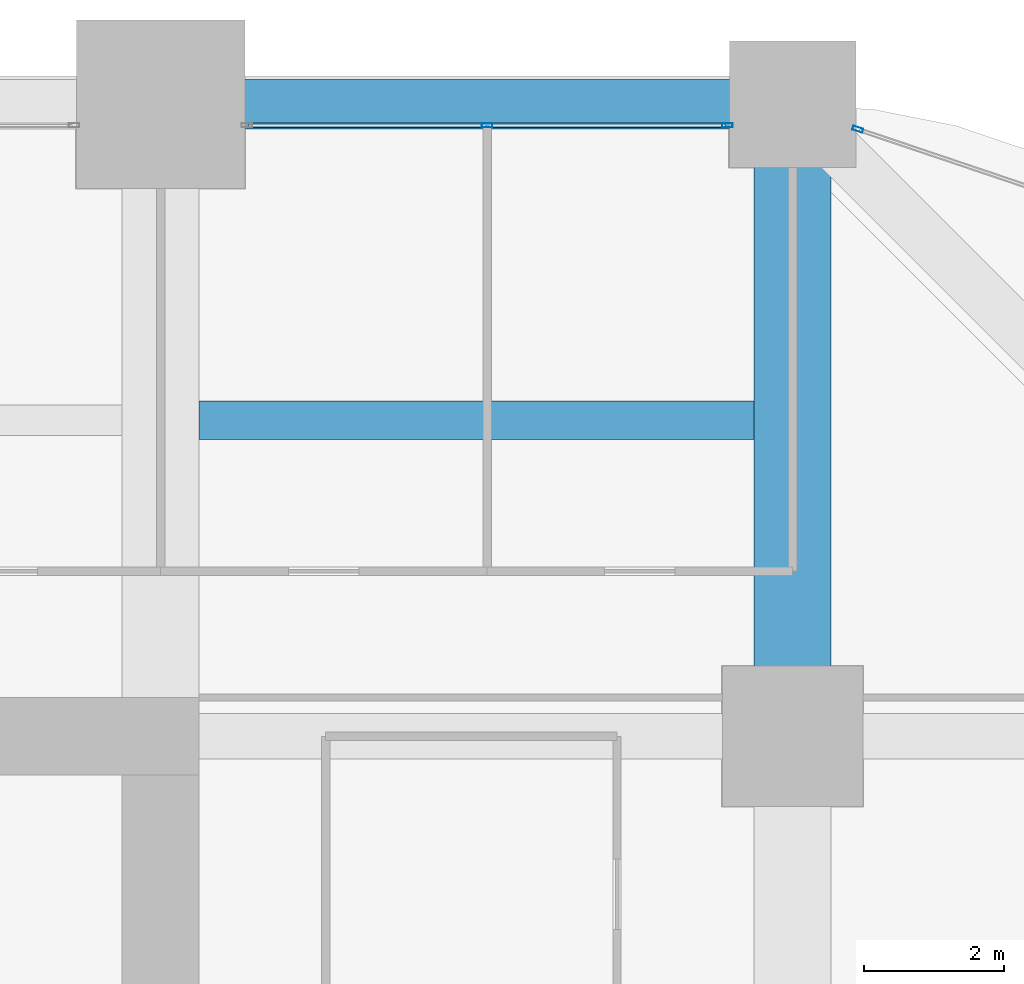
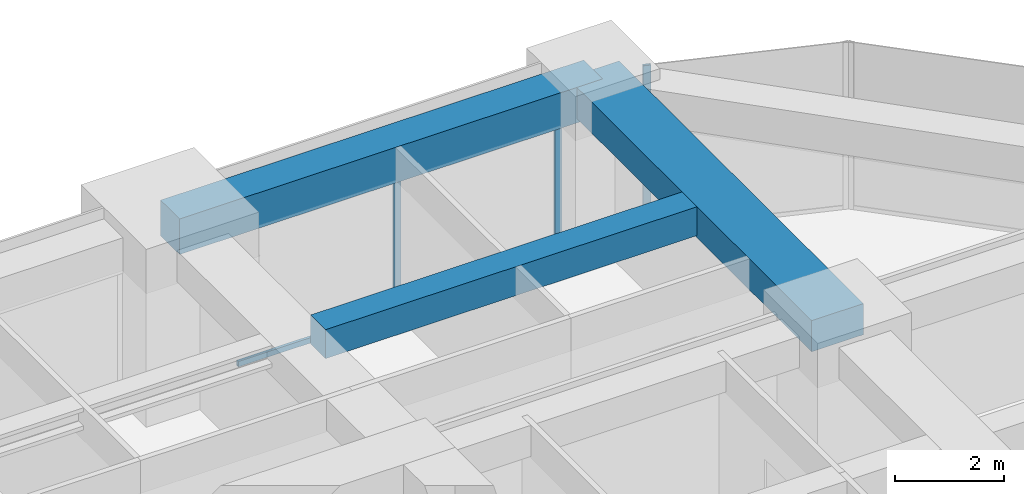
# One storey, part 33 of 40: 4 members, 3 beams, 2 elements without a shape of their own.
"""IFC4 building model written with IfcOpenShell, lengths in metres."""

from ifc_helpers import new_model, si_unit, direction, frame, origin, origin_2d, place, context, subcontext, project, spatial, rectangle, hollow_rectangle, extrude, material, material_profile, profile_set, type_object, element, aggregate, save


model = new_model("IFC4")

# Units and contexts
model_context = context("Model", 3, precision=1e-05, world=origin(), true_north=direction((0.0, 1.0)))
body_context = subcontext(model_context, "Body", "Model", "MODEL_VIEW")
ifc_project = project(units=[si_unit("LENGTHUNIT", "METRE"), si_unit("AREAUNIT", "SQUARE_METRE"), si_unit("VOLUMEUNIT", "CUBIC_METRE"), si_unit("PLANEANGLEUNIT", "RADIAN"), si_unit("MASSUNIT", "GRAM", prefix="KILO")], contexts=[model_context])

# Site, building, storey
site_placement = place(None, origin())
site = spatial("IfcSite", under=ifc_project, at=site_placement, CompositionType="ELEMENT")
building_placement = place(site_placement, origin())
building = spatial("IfcBuilding", under=site, at=building_placement, Name="Zorevar Civic Tower", CompositionType="ELEMENT")
storey_placement = place(building_placement, frame((0.0, 0.0, 93.0)))
storey = spatial("IfcBuildingStorey", under=building, at=storey_placement, Name="L22", CompositionType="ELEMENT", Elevation=93.0)

# Beams
ifc_material_1 = material(Name="Concrete C50/60", Category="concrete")
ifc_material_profile_1 = material_profile(ifc_material_1, rectangle(XDim=1.10009765625, YDim=0.699951171875, at=origin_2d()), Name="RC 1100x700")
ifc_profile_set_1 = profile_set([ifc_material_profile_1], Name="Concrete C50/60")
beam_type_1 = type_object("IfcBeamType", Name="Beam RC 1100x700", PredefinedType="BEAM", material=ifc_profile_set_1)
beam_1_placement = place(storey_placement, frame((54.0, 36.0, 3.39990234375), z_axis=(0.0, 1.0, 0.0), x_axis=(-1.0, 0.0, 0.0)))
element("IfcBeam", 1, at=beam_1_placement, inside=storey, type_object=beam_type_1, Name="Girder L23", PredefinedType="BEAM", context=body_context, shape_type="SweptSolid", body=[
    extrude(rectangle(XDim=1.10009765625, YDim=0.699951171875, at=origin_2d()), origin(), (0.0, 0.0, 1.0), 9.0),
])
ifc_material_2 = material(Name="Concrete C50/60", Category="concrete")
ifc_material_profile_2 = material_profile(ifc_material_2, rectangle(XDim=0.550048828125, YDim=0.64990234375, at=origin_2d()), Name="RC 550x650")
ifc_profile_set_2 = profile_set([ifc_material_profile_2], Name="Concrete C50/60")
beam_type_2 = type_object("IfcBeamType", Name="Beam RC 550x650", PredefinedType="BEAM", material=ifc_profile_set_2)
beam_2_placement = place(storey_placement, frame((45.550048828125, 40.5, 3.425048828125), z_axis=(1.0, 0.0, 0.0), x_axis=(0.0, 1.0, 0.0)))
element("IfcBeam", 2, at=beam_2_placement, inside=storey, type_object=beam_type_2, Name="Secondary beam L23", PredefinedType="BEAM", context=body_context, shape_type="SweptSolid", body=[
    extrude(rectangle(XDim=0.550048828125, YDim=0.64990234375, at=origin_2d()), origin(), (0.0, 0.0, 1.0), 7.89990234375),
])

# Curtain wall, members
ifc_material_3 = material(Name="Dark grey solar-control glass in black aluminium frame", Category="aluminium")
curtain_wall_type = type_object("IfcCurtainWallType", Name="Curtain wall CW3 mid zone", PredefinedType="NOTDEFINED", material=ifc_material_3)
curtain_wall_1_placement = place(storey_placement, origin())
curtain_wall_1 = element("IfcCurtainWall", 3, at=curtain_wall_1_placement, inside=storey, type_object=curtain_wall_type, Name="CW3 L22", PredefinedType="NOTDEFINED")
ifc_material_4 = material(Name="Aluminium, black anodised", Category="aluminium")
ifc_material_profile_3 = material_profile(ifc_material_4, hollow_rectangle(XDim=0.06005859375, YDim=0.14990234375, WallThickness=0.00390625, at=origin_2d()), Name="AL 150x60x4")
ifc_profile_set_3 = profile_set([ifc_material_profile_3], Name="Aluminium, black anodised")
member_type_1 = type_object("IfcMemberType", Name="CW3 mullion AL 150x60x4", PredefinedType="MULLION", material=ifc_profile_set_3)
member_1_placement = place(storey_placement, frame((49.64990234375, 44.699951171875, 0.06005859375), z_axis=(0.0, 0.0, 1.0), x_axis=(0.0, 1.0, 0.0)))
member_1 = element("IfcMember", 4, at=member_1_placement, type_object=member_type_1, Name="CW3 mullion 2", PredefinedType="MULLION", context=body_context, shape_type="SweptSolid", body=[
    extrude(hollow_rectangle(XDim=0.06005859375, YDim=0.14990234375, WallThickness=0.00390625, at=origin_2d()), origin(), (0.0, 0.0, 1.0), 2.889892578125),
])
member_2_placement = place(storey_placement, frame((53.070068359375, 44.699951171875, 0.0), z_axis=(0.0, 0.0, 1.0), x_axis=(0.0, 1.0, 0.0)))
member_2 = element("IfcMember", 5, at=member_2_placement, type_object=member_type_1, Name="CW3 mullion 3", PredefinedType="MULLION", context=body_context, shape_type="SweptSolid", body=[
    extrude(hollow_rectangle(XDim=0.06005859375, YDim=0.14990234375, WallThickness=0.00390625, at=origin_2d()), origin(), (0.0, 0.0, 1.0), 2.949951171875),
])

# Curtain wall, member
curtain_wall_2_placement = place(storey_placement, origin())
curtain_wall_2 = element("IfcCurtainWall", 6, at=curtain_wall_2_placement, inside=storey, type_object=curtain_wall_type, Name="CW3 L22", PredefinedType="NOTDEFINED")
member_3_placement = place(storey_placement, frame((54.928466796875, 44.643798828125, 0.0), z_axis=(0.0, 0.0, 1.0), x_axis=(-0.319412525043, -0.947615765406, 0.0)))
member_3 = element("IfcMember", 7, at=member_3_placement, type_object=member_type_1, Name="CW3 mullion 2", PredefinedType="MULLION", context=body_context, shape_type="SweptSolid", body=[
    extrude(hollow_rectangle(XDim=0.06005859375, YDim=0.14990234375, WallThickness=0.00390625, at=origin_2d()), origin(), (0.0, 0.0, 1.0), 3.75),
])
aggregate(curtain_wall_2, [member_3])

# Member
ifc_material_5 = material(Name="Aluminium, black anodised", Category="aluminium")
ifc_material_profile_4 = material_profile(ifc_material_5, hollow_rectangle(XDim=0.06005859375, YDim=0.1201171875, WallThickness=0.0029296875, at=origin_2d()), Name="AL 120x60x3")
ifc_profile_set_4 = profile_set([ifc_material_profile_4], Name="Aluminium, black anodised")
member_type_2 = type_object("IfcMemberType", Name="CW3 transom AL 120x60x3", PredefinedType="USERDEFINED", material=ifc_profile_set_4)
member_4_placement = place(storey_placement, frame((46.260009765625, 44.699951171875, 0.030029296875), z_axis=(1.0, 0.0, 0.0), x_axis=(0.0, 1.0, 0.0)))
member_4 = element("IfcMember", 8, at=member_4_placement, type_object=member_type_2, Name="CW3 sill transom", ObjectType="TRANSOM", PredefinedType="USERDEFINED", context=body_context, shape_type="SweptSolid", body=[
    extrude(hollow_rectangle(XDim=0.06005859375, YDim=0.1201171875, WallThickness=0.0029296875, at=origin_2d()), origin(), (0.0, 0.0, 1.0), 6.780029296875),
])

aggregate(curtain_wall_1, [member_1, member_2, member_4])

# Beam
ifc_material_6 = material(Name="Concrete C50/60", Category="concrete")
ifc_material_profile_5 = material_profile(ifc_material_6, rectangle(XDim=0.699951171875, YDim=0.800048828125, at=origin_2d()), Name="RC 700x800")
ifc_profile_set_5 = profile_set([ifc_material_profile_5], Name="Concrete C50/60")
beam_type_3 = type_object("IfcBeamType", Name="Edge beam RC 700x800", PredefinedType="SPANDREL", material=ifc_profile_set_5)
beam_3_placement = place(storey_placement, frame((45.0, 45.0, 3.35009765625), z_axis=(1.0, 0.0, 0.0), x_axis=(0.0, 1.0, 0.0)))
element("IfcBeam", 9, at=beam_3_placement, inside=storey, type_object=beam_type_3, Name="Edge beam L23", PredefinedType="SPANDREL", context=body_context, shape_type="SweptSolid", body=[
    extrude(rectangle(XDim=0.699951171875, YDim=0.800048828125, at=origin_2d()), origin(), (0.0, 0.0, 1.0), 9.0),
])

save(model, "model.ifc")
